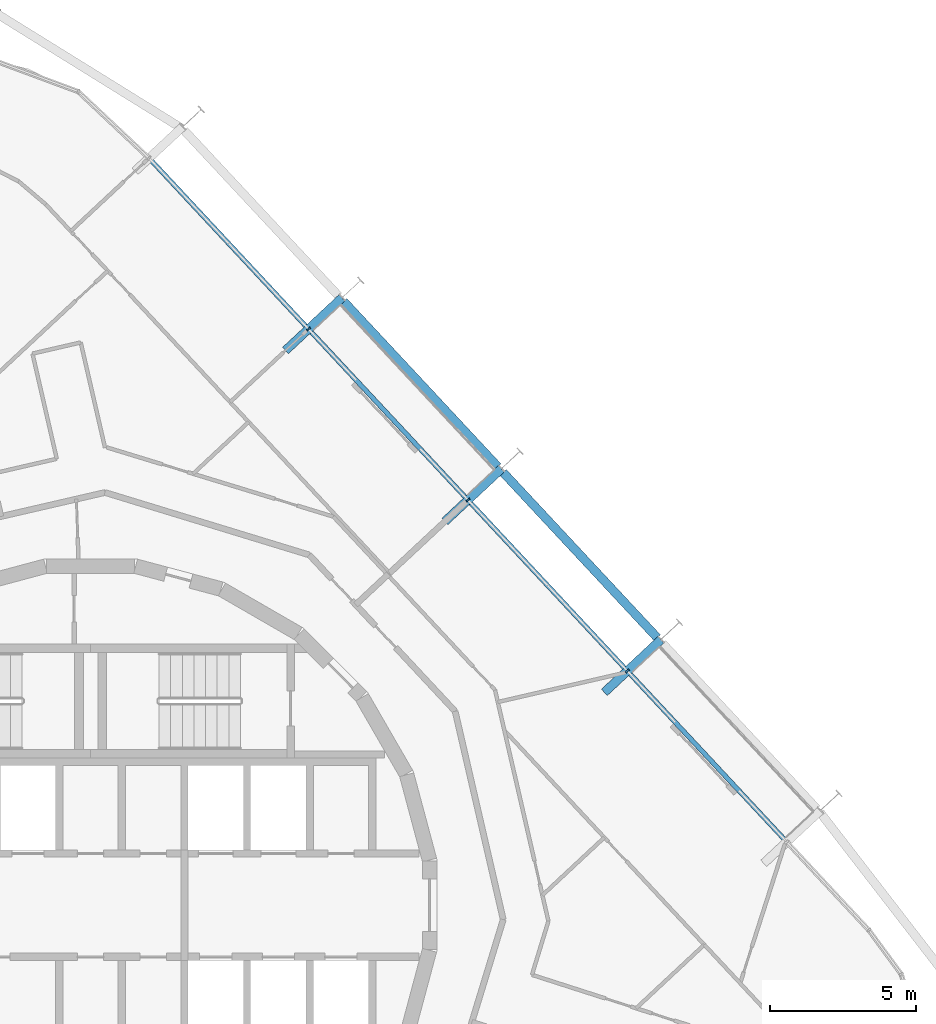
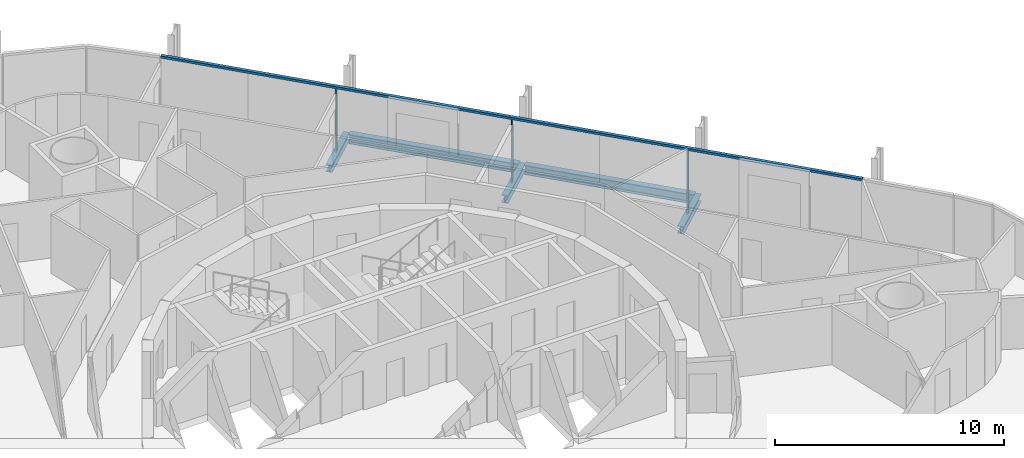
# One storey, part 9 of 18: 5 beams, 4 members, 1 element without a shape of its own.
"""IFC4 building model written with IfcOpenShell, lengths in metres."""

from ifc_helpers import new_model, si_unit, direction, frame, origin, origin_2d, place, context, subcontext, project, spatial, rectangle, i_section, extrude, material, layer, layer_set, material_profile, profile_set, type_object, element, aggregate, save


model = new_model("IFC4")

# Units and contexts
model_context = context("Model", 3, precision=1e-05, world=origin(), true_north=direction((0.0, 1.0)))
body_context = subcontext(model_context, "Body", "Model", "MODEL_VIEW")
ifc_project = project(units=[si_unit("LENGTHUNIT", "METRE"), si_unit("AREAUNIT", "SQUARE_METRE"), si_unit("VOLUMEUNIT", "CUBIC_METRE"), si_unit("PLANEANGLEUNIT", "RADIAN"), si_unit("MASSUNIT", "GRAM", prefix="KILO")], contexts=[model_context])

# Site, building, storey
site_placement = place(None, origin())
site = spatial("IfcSite", under=ifc_project, at=site_placement, CompositionType="ELEMENT")
building_placement = place(site_placement, origin())
building = spatial("IfcBuilding", under=site, at=building_placement, Name="Spindle Arch Residences", CompositionType="ELEMENT")
storey_placement = place(building_placement, frame((0.0, 0.0, 116.89990234375)))
storey = spatial("IfcBuildingStorey", under=building, at=storey_placement, Name="L28", CompositionType="ELEMENT", Elevation=116.89990234375)

# Curtain wall, members
ifc_material_1 = material(Name="Aluminium bronze unitised frame with tinted glass", Category="aluminium")
ifc_layer = layer(ifc_material_1, 0.159912109375)
ifc_layer_set = layer_set([ifc_layer], Name="CW-C typical residential unitised wall")
curtain_wall_type = type_object("IfcCurtainWallType", Name="CW-C typical residential unitised wall", PredefinedType="NOTDEFINED", material=ifc_layer_set)
curtain_wall_placement = place(storey_placement, origin())
curtain_wall = element("IfcCurtainWall", 1, at=curtain_wall_placement, inside=storey, type_object=curtain_wall_type, Name="CW-C L28 run 2", PredefinedType="NOTDEFINED")
ifc_material_2 = material(Name="Aluminium bronze anodised mullion", Category="aluminium")
ifc_material_profile_1 = material_profile(ifc_material_2, rectangle(XDim=0.159912109375, YDim=0.06005859375, at=origin_2d()), Name="MU 60x160")
ifc_profile_set_1 = profile_set([ifc_material_profile_1], Name="Aluminium bronze anodised mullion")
member_type_1 = type_object("IfcMemberType", Name="Bronze mullion 60x160", PredefinedType="MULLION", material=ifc_profile_set_1)
member_1_placement = place(storey_placement, frame((18.437744140625, 8.044677734375, -0.3798828125), z_axis=(0.0, 0.0, 1.0), x_axis=(-0.731353701619, -0.681998360062, 0.0)))
member_1 = element("IfcMember", 2, at=member_1_placement, type_object=member_type_1, Name="CW-C mullion 06", PredefinedType="MULLION", context=body_context, shape_type="SweptSolid", body=[
    extrude(rectangle(XDim=0.159912109375, YDim=0.06005859375, at=origin_2d()), origin(), (0.0, 0.0, 1.0), 3.3798828125),
])
member_2_placement = place(storey_placement, frame((12.961669921875, 13.916748046875, -0.3798828125), z_axis=(0.0, 0.0, 1.0), x_axis=(-0.731353701619, -0.681998360062, 0.0)))
member_2 = element("IfcMember", 3, at=member_2_placement, type_object=member_type_1, Name="CW-C mullion 07", PredefinedType="MULLION", context=body_context, shape_type="SweptSolid", body=[
    extrude(rectangle(XDim=0.159912109375, YDim=0.06005859375, at=origin_2d()), origin(), (0.0, 0.0, 1.0), 3.3798828125),
])
member_3_placement = place(storey_placement, frame((7.48583984375, 19.7890625, -0.3798828125), z_axis=(0.0, 0.0, 1.0), x_axis=(-0.731353701619, -0.681998360062, 0.0)))
member_3 = element("IfcMember", 4, at=member_3_placement, type_object=member_type_1, Name="CW-C mullion 08", PredefinedType="MULLION", context=body_context, shape_type="SweptSolid", body=[
    extrude(rectangle(XDim=0.159912109375, YDim=0.06005859375, at=origin_2d()), origin(), (0.0, 0.0, 1.0), 3.3798828125),
])
ifc_material_3 = material(Name="Aluminium bronze anodised transom", Category="aluminium")
ifc_material_profile_2 = material_profile(ifc_material_3, rectangle(XDim=0.159912109375, YDim=0.1201171875, at=origin_2d()), Name="TR 120x160")
ifc_profile_set_2 = profile_set([ifc_material_profile_2], Name="Aluminium bronze anodised transom")
member_type_2 = type_object("IfcMemberType", Name="Bronze transom 120x160", PredefinedType="USERDEFINED", material=ifc_profile_set_2)
member_4_placement = place(storey_placement, frame((23.89306640625, 2.1943359375, 3.06005859375), z_axis=(-0.681996633995, 0.731355311199, 0.0), x_axis=(-0.731355311199, -0.681996633995, 0.0)))
member_4 = element("IfcMember", 5, at=member_4_placement, type_object=member_type_2, Name="CW-C transom 00", ObjectType="TRANSOM", PredefinedType="USERDEFINED", context=body_context, shape_type="SweptSolid", body=[
    extrude(rectangle(XDim=0.159912109375, YDim=0.1201171875, at=origin_2d()), origin(), (0.0, 0.0, 1.0), 32.056640625),
])
aggregate(curtain_wall, [member_4, member_1, member_2, member_3])

# Beams
ifc_material_4 = material(Name="Steel S460ML, intumescent coating R 120", Category="steel")
ifc_material_profile_3 = material_profile(ifc_material_4, i_section(OverallWidth=0.300048828125, OverallDepth=0.5, WebThickness=0.014404296875, FlangeThickness=0.028076171875, FilletRadius=0.027099609375, at=origin_2d()), Name="HEB 500")
ifc_profile_set_3 = profile_set([ifc_material_profile_3], Name="Steel S460ML, intumescent coating R 120")
beam_type_1 = type_object("IfcBeamType", Name="Exoskeleton edge beam HEB 500", PredefinedType="BEAM", material=ifc_profile_set_3)
beam_1_placement = place(storey_placement, frame((19.468017578125, 9.18310546875, -0.6298828125), z_axis=(-0.681992374481, 0.731359283218, 0.0), x_axis=(-0.731359283218, -0.681992374481, 0.0)))
element("IfcBeam", 6, at=beam_1_placement, inside=storey, type_object=beam_type_1, Name="Exoskeleton edge beam 7", PredefinedType="BEAM", context=body_context, shape_type="SweptSolid", body=[
    extrude(i_section(OverallWidth=0.300048828125, OverallDepth=0.5, WebThickness=0.014404296875, FlangeThickness=0.028076171875, FilletRadius=0.027099609375, at=origin_2d()), origin(), (0.0, 0.0, 1.0), 7.769287109375),
])
beam_2_placement = place(storey_placement, frame((13.9921875, 15.055419921875, -0.6298828125), z_axis=(-0.682008048331, 0.731344667042, 0.0), x_axis=(-0.731344667042, -0.682008048331, 0.0)))
element("IfcBeam", 7, at=beam_2_placement, inside=storey, type_object=beam_type_1, Name="Exoskeleton edge beam 8", PredefinedType="BEAM", context=body_context, shape_type="SweptSolid", body=[
    extrude(i_section(OverallWidth=0.300048828125, OverallDepth=0.5, WebThickness=0.014404296875, FlangeThickness=0.028076171875, FilletRadius=0.027099609375, at=origin_2d()), origin(), (0.0, 0.0, 1.0), 7.76904296875),
])
ifc_material_5 = material(Name="Steel S460ML, intumescent coating R 120", Category="steel")
ifc_material_profile_4 = material_profile(ifc_material_5, i_section(OverallWidth=0.300048828125, OverallDepth=0.389892578125, WebThickness=0.010986328125, FlangeThickness=0.01904296875, FilletRadius=0.027099609375, at=origin_2d()), Name="HEA 400")
ifc_profile_set_4 = profile_set([ifc_material_profile_4], Name="Steel S460ML, intumescent coating R 120")
beam_type_2 = type_object("IfcBeamType", Name="Floor outrigger HEA 400", PredefinedType="BEAM", material=ifc_profile_set_4)
beam_3_placement = place(storey_placement, frame((19.5859375, 9.115478515625, -0.574951171875), z_axis=(-0.731364603864, -0.681986668649, 0.0), x_axis=(0.681986668649, -0.731364603864, 0.0)))
element("IfcBeam", 8, at=beam_3_placement, inside=storey, type_object=beam_type_2, Name="Floor outrigger 7", PredefinedType="BEAM", context=body_context, shape_type="SweptSolid", body=[
    extrude(i_section(OverallWidth=0.300048828125, OverallDepth=0.389892578125, WebThickness=0.010986328125, FlangeThickness=0.01904296875, FilletRadius=0.027099609375, at=origin_2d()), origin(), (0.0, 0.0, 1.0), 2.650146484375),
])
for number, where, z_axis, x_axis, name in (
    (9, (14.110107421875, 14.987548828125, -0.574951171875), (-0.731410554291, -0.681937387941, 0.0), (0.681937387941, -0.731410554291, 0.0), "Floor outrigger 8"),
    (10, (8.634033203125, 20.859619140625, -0.574951171875), (-0.731367706511, -0.681983341345, 0.0), (0.681983341345, -0.731367706511, 0.0), "Floor outrigger 9"),
):
    element("IfcBeam", number, at=place(storey_placement, frame(where, z_axis=z_axis, x_axis=x_axis)), inside=storey, type_object=beam_type_2, Name=name, PredefinedType="BEAM", context=body_context, shape_type="SweptSolid", body=[
        extrude(i_section(OverallWidth=0.300048828125, OverallDepth=0.389892578125, WebThickness=0.010986328125, FlangeThickness=0.01904296875, FilletRadius=0.027099609375, at=origin_2d()), origin(), (0.0, 0.0, 1.0), 2.64990234375),
    ])

save(model, "model.ifc")
